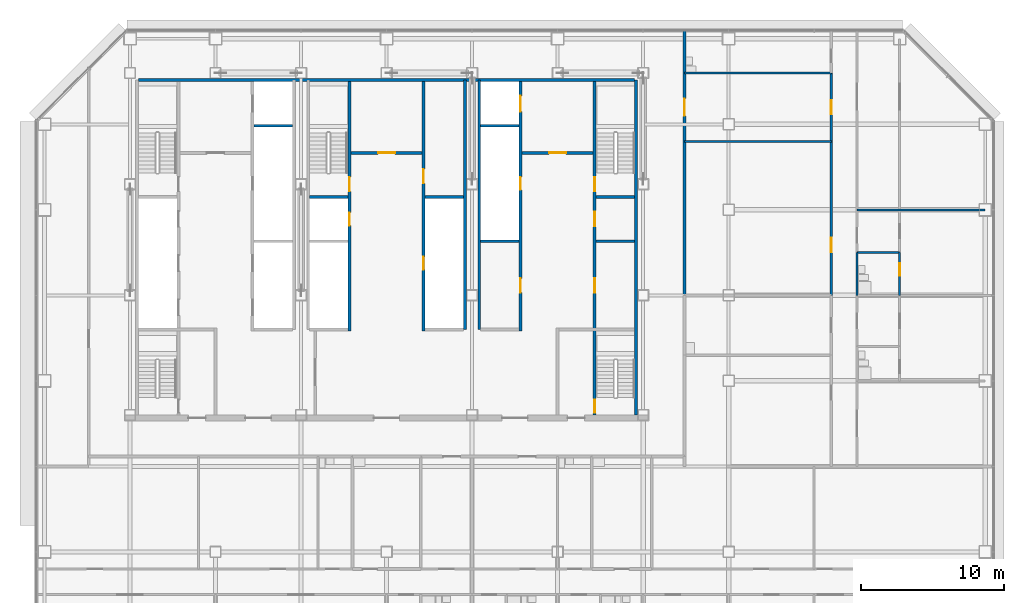
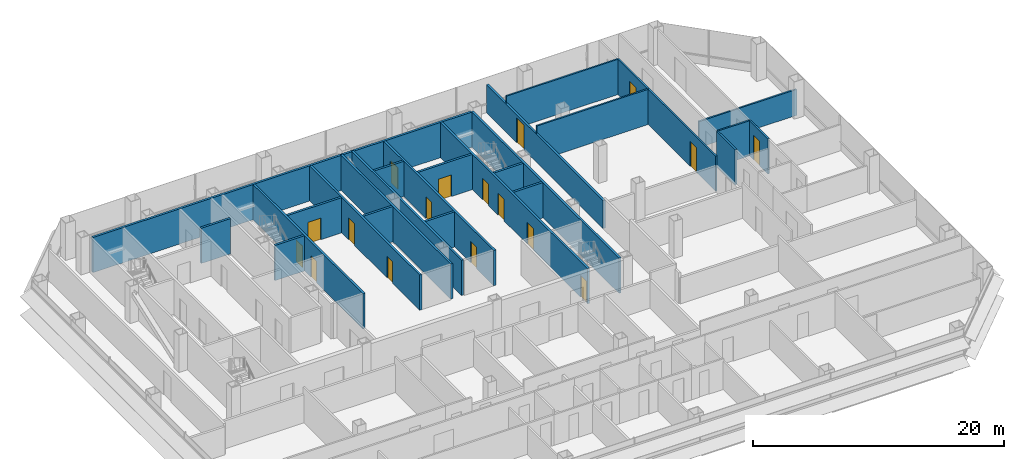
# One storey, part 23 of 26: 25 walls, 17 doors, 17 openings.
"""IFC4 building model written with IfcOpenShell, lengths in metres."""

from ifc_helpers import new_model, si_unit, direction, frame, frame_2d, origin, place, context, subcontext, project, spatial, rectangle, extrude, material, layer, layer_set, type_object, element, fill, save


model = new_model("IFC4")

# Units and contexts
model_context = context("Model", 3, precision=1e-05, world=origin(), true_north=direction((0.0, 1.0)))
body_context = subcontext(model_context, "Body", "Model", "MODEL_VIEW")
ifc_project = project(units=[si_unit("LENGTHUNIT", "METRE"), si_unit("AREAUNIT", "SQUARE_METRE"), si_unit("VOLUMEUNIT", "CUBIC_METRE"), si_unit("PLANEANGLEUNIT", "RADIAN"), si_unit("MASSUNIT", "GRAM", prefix="KILO")], contexts=[model_context])

# Site, building, storey
site_placement = place(None, origin())
site = spatial("IfcSite", under=ifc_project, at=site_placement, CompositionType="ELEMENT")
building_placement = place(site_placement, origin())
building = spatial("IfcBuilding", under=site, at=building_placement, Name="Sorahane Residences", CompositionType="ELEMENT")
storey_placement = place(building_placement, frame((0.0, 0.0, 64.199951171875)))
storey = spatial("IfcBuildingStorey", under=building, at=storey_placement, Name="L12", CompositionType="ELEMENT", Elevation=64.199951171875)

# Walls
ifc_material_1 = material(Name="Concrete C30", Category="concrete")
ifc_layer_1 = layer(ifc_material_1, 0.199951171875)
ifc_layer_set_1 = layer_set([ifc_layer_1], Name="Core face wall 200 EI 180")
wall_type_1 = type_object("IfcWallType", Name="Core face wall 200 EI 180", PredefinedType="SOLIDWALL", material=ifc_layer_set_1)
wall_1_placement = place(storey_placement, frame((41.5, 21.60009765625, 0.0), z_axis=(0.0, 0.0, 1.0), x_axis=(0.0, 1.0, 0.0)))
element("IfcWall", 1, at=wall_1_placement, inside=storey, type_object=wall_type_1, Name="L12 core face wall", PredefinedType="SOLIDWALL", context=body_context, shape_type="SweptSolid", body=[
    extrude(rectangle(XDim=23.5, YDim=0.199951171875, at=frame_2d((11.75, 0.0))), origin(), (0.0, 0.0, 1.0), 3.420166015625),
])
wall_2_placement = place(storey_placement, frame((6.60009765625, 45.10009765625, 0.0), z_axis=(0.0, 0.0, 1.0), x_axis=(1.0, 0.0, 0.0)))
element("IfcWall", 2, at=wall_2_placement, inside=storey, type_object=wall_type_1, Name="L12 core face wall", PredefinedType="SOLIDWALL", context=body_context, shape_type="SweptSolid", body=[
    extrude(rectangle(XDim=34.7998046875, YDim=0.199951171875, at=frame_2d((17.39990234375, 0.0))), origin(), (0.0, 0.0, 1.0), 3.420166015625),
])
for number, where, z_axis, x_axis, name in (
    (3, (29.5, 27.60009765625, 0.0), (0.0, 0.0, 1.0), (0.0, 1.0, 0.0), "L12 core face wall"),
    (4, (30.5, 27.60009765625, 0.0), (0.0, 0.0, 1.0), (0.0, 1.0, 0.0), "L12 core face wall"),
):
    element("IfcWall", number, at=place(storey_placement, frame(where, z_axis=z_axis, x_axis=x_axis)), inside=storey, type_object=wall_type_1, Name=name, PredefinedType="SOLIDWALL", context=body_context, shape_type="SweptSolid", body=[
        extrude(rectangle(XDim=17.5, YDim=0.199951171875, at=frame_2d((8.75, 0.0))), origin(), (0.0, 0.0, 1.0), 3.420166015625),
    ])

# Wall, opening, door
ifc_material_2 = material(Name="Concrete blockwork C20 wall", Category="masonry")
ifc_layer_2 = layer(ifc_material_2, 0.199951171875)
ifc_layer_set_2 = layer_set([ifc_layer_2], Name="Corridor wall 200 EI 120")
wall_type_2 = type_object("IfcWallType", Name="Corridor wall 200 EI 120", PredefinedType="SOLIDWALL", material=ifc_layer_set_2)
wall_3_placement = place(storey_placement, frame((44.89990234375, 30.0, 0.0), z_axis=(0.0, 0.0, 1.0), x_axis=(0.0, 1.0, 0.0)))
wall_3 = element("IfcWall", 5, at=wall_3_placement, inside=storey, type_object=wall_type_2, Name="L12 corridor wall", PredefinedType="SOLIDWALL", context=body_context, shape_type="SweptSolid", body=[
    extrude(rectangle(XDim=18.60009765625, YDim=0.199951171875, at=frame_2d((9.300048828125, 0.0))), origin(), (0.0, 0.0, 1.0), 2.719970703125),
])
opening_1_placement = place(wall_3_placement, frame((12.60009765625, 0.0, 0.0)))
opening_1 = element("IfcOpeningElement", 6, at=opening_1_placement, cuts=wall_3, Name="Opening L12-44", PredefinedType="OPENING", context=body_context, shape_type="SweptSolid", body=[
    extrude(rectangle(XDim=1.199951171875, YDim=2.39990234375, at=frame_2d((0.60009765625, 1.199951171875))), frame((0.0, 0.10986328125, 0.0), z_axis=(0.0, -1.0, 0.0), x_axis=(1.0, 0.0, 0.0)), (0.0, 0.0, 1.0), 0.219970703125),
])
ifc_material_3 = material(Name="Timber veneered fire door", Category="wood")
door_type_1 = type_object("IfcDoorType", Name="Flat entrance door 1200x2400 FD60", OperationType="NOTDEFINED", PredefinedType="DOOR", material=ifc_material_3)
door_1_placement = place(opening_1_placement, frame((1.199951171875, 0.0, 0.0), z_axis=(0.0, 0.0, 1.0), x_axis=(-1.0, 0.0, 0.0)))
door_1 = element("IfcDoor", 7, at=door_1_placement, inside=storey, type_object=door_type_1, Name="Flat entrance door L12-44", OperationType="SINGLE_SWING_RIGHT", OverallHeight=2.39990234375, OverallWidth=1.199951171875, PredefinedType="DOOR", context=body_context, shape_type="SweptSolid", body=[
    extrude(rectangle(XDim=1.199951171875, YDim=2.39990234375, at=frame_2d((0.60009765625, 1.199951171875))), frame((0.0, 0.02490234375, 0.0), z_axis=(0.0, -1.0, 0.0), x_axis=(1.0, 0.0, 0.0)), (0.0, 0.0, 1.0), 0.050048828125),
])
fill(opening_1, door_1)

ifc_material_4 = material(Name="Concrete C30", Category="concrete")
ifc_layer_3 = layer(ifc_material_4, 0.199951171875)
ifc_layer_set_3 = layer_set([ifc_layer_3], Name="Front room wall 200 EI 120")
wall_type_3 = type_object("IfcWallType", Name="Front room wall 200 EI 120", PredefinedType="PARTITIONING", material=ifc_layer_set_3)
wall_4_placement = place(storey_placement, frame((21.5, 40.0, 0.0), z_axis=(0.0, 0.0, 1.0), x_axis=(1.0, 0.0, 0.0)))
wall_4 = element("IfcWall", 8, at=wall_4_placement, inside=storey, type_object=wall_type_3, Name="L12 front room wall", PredefinedType="PARTITIONING", context=body_context, shape_type="SweptSolid", body=[
    extrude(rectangle(XDim=5.0, YDim=0.199951171875, at=frame_2d((2.5, 0.0))), origin(), (0.0, 0.0, 1.0), 3.420166015625),
])
opening_2_placement = place(wall_4_placement, frame((1.89990234375, 0.0, 0.0)))
opening_2 = element("IfcOpeningElement", 9, at=opening_2_placement, cuts=wall_4, Name="Opening L12-C08", PredefinedType="OPENING", context=body_context, shape_type="SweptSolid", body=[
    extrude(rectangle(XDim=1.199951171875, YDim=2.10009765625, at=frame_2d((0.60009765625, 1.050048828125))), frame((0.0, 0.10986328125, 0.0), z_axis=(0.0, -1.0, 0.0), x_axis=(1.0, 0.0, 0.0)), (0.0, 0.0, 1.0), 0.219970703125),
])
ifc_material_5 = material(Name="Steel", Category="steel")
door_type_2 = type_object("IfcDoorType", Name="Front room door 1200x2100 FD120", OperationType="NOTDEFINED", PredefinedType="DOOR", material=ifc_material_5)
door_2_placement = place(opening_2_placement, frame((1.199951171875, 0.0, 0.0), z_axis=(0.0, 0.0, 1.0), x_axis=(-1.0, 0.0, 0.0)))
door_2 = element("IfcDoor", 10, at=door_2_placement, inside=storey, type_object=door_type_2, Name="Front room door Stair S3 vestibule L12", OperationType="DOUBLE_DOOR_SINGLE_SWING", OverallHeight=2.10009765625, OverallWidth=1.199951171875, PredefinedType="DOOR", context=body_context, shape_type="SweptSolid", body=[
    extrude(rectangle(XDim=1.199951171875, YDim=2.10009765625, at=frame_2d((0.60009765625, 1.050048828125))), frame((0.0, 0.02490234375, 0.0), z_axis=(0.0, -1.0, 0.0), x_axis=(1.0, 0.0, 0.0)), (0.0, 0.0, 1.0), 0.050048828125),
])
fill(opening_2, door_2)

wall_5_placement = place(storey_placement, frame((33.5, 40.0, 0.0), z_axis=(0.0, 0.0, 1.0), x_axis=(1.0, 0.0, 0.0)))
wall_5 = element("IfcWall", 11, at=wall_5_placement, inside=storey, type_object=wall_type_3, Name="L12 front room wall", PredefinedType="PARTITIONING", context=body_context, shape_type="SweptSolid", body=[
    extrude(rectangle(XDim=5.0, YDim=0.199951171875, at=frame_2d((2.5, 0.0))), origin(), (0.0, 0.0, 1.0), 3.420166015625),
])
opening_3_placement = place(wall_5_placement, frame((1.89990234375, 0.0, 0.0)))
opening_3 = element("IfcOpeningElement", 12, at=opening_3_placement, cuts=wall_5, Name="Opening L12-C09", PredefinedType="OPENING", context=body_context, shape_type="SweptSolid", body=[
    extrude(rectangle(XDim=1.199951171875, YDim=2.10009765625, at=frame_2d((0.60009765625, 1.050048828125))), frame((0.0, 0.10986328125, 0.0), z_axis=(0.0, -1.0, 0.0), x_axis=(1.0, 0.0, 0.0)), (0.0, 0.0, 1.0), 0.219970703125),
])
door_3_placement = place(opening_3_placement, frame((1.199951171875, 0.0, 0.0), z_axis=(0.0, 0.0, 1.0), x_axis=(-1.0, 0.0, 0.0)))
door_3 = element("IfcDoor", 13, at=door_3_placement, inside=storey, type_object=door_type_2, Name="Front room door Firefighting lobby FF2 front room L12", OperationType="DOUBLE_DOOR_SINGLE_SWING", OverallHeight=2.10009765625, OverallWidth=1.199951171875, PredefinedType="DOOR", context=body_context, shape_type="SweptSolid", body=[
    extrude(rectangle(XDim=1.199951171875, YDim=2.10009765625, at=frame_2d((0.60009765625, 1.050048828125))), frame((0.0, 0.02490234375, 0.0), z_axis=(0.0, -1.0, 0.0), x_axis=(1.0, 0.0, 0.0)), (0.0, 0.0, 1.0), 0.050048828125),
])
fill(opening_3, door_3)

# Wall, openings, doors
ifc_material_6 = material(Name="Concrete C30", Category="concrete")
ifc_layer_4 = layer(ifc_material_6, 0.199951171875)
ifc_layer_set_4 = layer_set([ifc_layer_4], Name="Lift shaft wall 200 EI 120")
wall_type_4 = type_object("IfcWallType", Name="Lift shaft wall 200 EI 120", PredefinedType="SOLIDWALL", material=ifc_layer_set_4)
wall_6_placement = place(storey_placement, frame((33.39990234375, 27.5, 0.0), z_axis=(0.0, 0.0, 1.0), x_axis=(0.0, 1.0, 0.0)))
wall_6 = element("IfcWall", 14, at=wall_6_placement, inside=storey, type_object=wall_type_4, Name="L12 lift shaft wall", PredefinedType="SOLIDWALL", context=body_context, shape_type="SweptSolid", body=[
    extrude(rectangle(XDim=17.5, YDim=0.199951171875, at=frame_2d((8.75, 0.0))), origin(), (0.0, 0.0, 1.0), 3.420166015625),
])
opening_4_placement = place(wall_6_placement, frame((15.39990234375, 0.0, 0.0)))
opening_4 = element("IfcOpeningElement", 15, at=opening_4_placement, cuts=wall_6, Name="Opening L12-C10", PredefinedType="OPENING", context=body_context, shape_type="SweptSolid", body=[
    extrude(rectangle(XDim=1.10009765625, YDim=2.10009765625, at=frame_2d((0.550048828125, 1.050048828125))), frame((0.0, 0.10986328125, 0.0), z_axis=(0.0, -1.0, 0.0), x_axis=(1.0, 0.0, 0.0)), (0.0, 0.0, 1.0), 0.219970703125),
])
opening_5_placement = place(wall_6_placement, frame((2.699951171875, 0.0, 0.0)))
opening_5 = element("IfcOpeningElement", 16, at=opening_5_placement, cuts=wall_6, Name="Opening L12-C19", PredefinedType="OPENING", context=body_context, shape_type="SweptSolid", body=[
    extrude(rectangle(XDim=1.0, YDim=2.10009765625, at=frame_2d((0.5, 1.050048828125))), frame((0.0, 0.10986328125, 0.0), z_axis=(0.0, -1.0, 0.0), x_axis=(1.0, 0.0, 0.0)), (0.0, 0.0, 1.0), 0.219970703125),
])
opening_6_placement = place(wall_6_placement, frame((9.89990234375, 0.0, 0.0)))
opening_6 = element("IfcOpeningElement", 17, at=opening_6_placement, cuts=wall_6, Name="Opening L12-C26", PredefinedType="OPENING", context=body_context, shape_type="SweptSolid", body=[
    extrude(rectangle(XDim=0.89990234375, YDim=2.10009765625, at=frame_2d((0.449951171875, 1.050048828125))), frame((0.0, 0.10986328125, 0.0), z_axis=(0.0, -1.0, 0.0), x_axis=(1.0, 0.0, 0.0)), (0.0, 0.0, 1.0), 0.219970703125),
])
ifc_material_7 = material(Name="Aluminium and stainless steel", Category="steel")
door_type_3 = type_object("IfcDoorType", Name="Lift landing door 1100x2100 E 60", OperationType="NOTDEFINED", PredefinedType="DOOR", material=ifc_material_7)
door_4_placement = place(opening_4_placement, origin())
door_4 = element("IfcDoor", 18, at=door_4_placement, inside=storey, type_object=door_type_3, Name="Lift landing door FF2 L12", OperationType="DOUBLE_DOOR_SLIDING", OverallHeight=2.10009765625, OverallWidth=1.10009765625, PredefinedType="DOOR", context=body_context, shape_type="SweptSolid", body=[
    extrude(rectangle(XDim=1.10009765625, YDim=2.10009765625, at=frame_2d((0.550048828125, 1.050048828125))), frame((0.0, 0.02490234375, 0.0), z_axis=(0.0, -1.0, 0.0), x_axis=(1.0, 0.0, 0.0)), (0.0, 0.0, 1.0), 0.050048828125),
])
fill(opening_4, door_4)
ifc_material_8 = material(Name="Steel", Category="steel")
door_type_4 = type_object("IfcDoorType", Name="Riser door 900x2100 FD120", OperationType="NOTDEFINED", PredefinedType="DOOR", material=ifc_material_8)
door_5_placement = place(opening_6_placement, frame((0.89990234375, 0.0, 0.0), z_axis=(0.0, 0.0, 1.0), x_axis=(-1.0, 0.0, 0.0)))
door_5 = element("IfcDoor", 19, at=door_5_placement, inside=storey, type_object=door_type_4, Name="Riser door R2 L12", OperationType="SINGLE_SWING_LEFT", OverallHeight=2.10009765625, OverallWidth=0.89990234375, PredefinedType="DOOR", context=body_context, shape_type="SweptSolid", body=[
    extrude(rectangle(XDim=0.89990234375, YDim=2.10009765625, at=frame_2d((0.449951171875, 1.050048828125))), frame((0.0, 0.02490234375, 0.0), z_axis=(0.0, -1.0, 0.0), x_axis=(1.0, 0.0, 0.0)), (0.0, 0.0, 1.0), 0.050048828125),
])
fill(opening_6, door_5)
ifc_material_9 = material(Name="Steel", Category="steel")
door_type_5 = type_object("IfcDoorType", Name="Service room door 1000x2100 FD60", OperationType="NOTDEFINED", PredefinedType="DOOR", material=ifc_material_9)
door_6_placement = place(opening_5_placement, origin())
door_6 = element("IfcDoor", 20, at=door_6_placement, inside=storey, type_object=door_type_5, Name="Service room door Gift store L12", OperationType="SINGLE_SWING_RIGHT", OverallHeight=2.10009765625, OverallWidth=1.0, PredefinedType="DOOR", context=body_context, shape_type="SweptSolid", body=[
    extrude(rectangle(XDim=1.0, YDim=2.10009765625, at=frame_2d((0.5, 1.050048828125))), frame((0.0, 0.02490234375, 0.0), z_axis=(0.0, -1.0, 0.0), x_axis=(1.0, 0.0, 0.0)), (0.0, 0.0, 1.0), 0.050048828125),
])
fill(opening_5, door_6)

# Walls
for number, where, z_axis, x_axis, name in (
    (21, (14.699951171875, 41.89990234375, 0.0), (0.0, 0.0, 1.0), (1.0, 0.0, 0.0), "L12 lift shaft wall"),
    (22, (30.60009765625, 41.89990234375, 0.0), (0.0, 0.0, 1.0), (1.0, 0.0, 0.0), "L12 lift shaft wall"),
):
    element("IfcWall", number, at=place(storey_placement, frame(where, z_axis=z_axis, x_axis=x_axis)), inside=storey, type_object=wall_type_4, Name=name, PredefinedType="SOLIDWALL", context=body_context, shape_type="SweptSolid", body=[
        extrude(rectangle(XDim=2.699951171875, YDim=0.199951171875, at=frame_2d((1.35009765625, 0.0))), origin(), (0.0, 0.0, 1.0), 3.420166015625),
    ])

# Wall, openings, doors
ifc_material_10 = material(Name="Gypsum board partition on steel studs", Category="steel")
ifc_layer_5 = layer(ifc_material_10, 0.14990234375)
ifc_layer_set_5 = layer_set([ifc_layer_5], Name="Partition 150 EI 90")
wall_type_5 = type_object("IfcWallType", Name="Partition 150 EI 90", PredefinedType="PARTITIONING", material=ifc_layer_set_5)
wall_7_placement = place(storey_placement, frame((55.199951171875, 30.0, 0.0), z_axis=(0.0, 0.0, 1.0), x_axis=(0.0, 1.0, 0.0)))
wall_7 = element("IfcWall", 23, at=wall_7_placement, inside=storey, type_object=wall_type_5, Name="L12 partition", PredefinedType="PARTITIONING", context=body_context, shape_type="SweptSolid", body=[
    extrude(rectangle(XDim=15.60009765625, YDim=0.14990234375, at=frame_2d((7.800048828125, 0.0))), origin(), (0.0, 0.0, 1.0), 3.420166015625),
])
opening_7_placement = place(wall_7_placement, frame((12.699951171875, 0.0, 0.0)))
opening_7 = element("IfcOpeningElement", 24, at=opening_7_placement, cuts=wall_7, Name="Opening L12-28", PredefinedType="OPENING", context=body_context, shape_type="SweptSolid", body=[
    extrude(rectangle(XDim=1.0, YDim=2.39990234375, at=frame_2d((0.5, 1.199951171875))), frame((0.0, 0.0849609375, 0.0), z_axis=(0.0, -1.0, 0.0), x_axis=(1.0, 0.0, 0.0)), (0.0, 0.0, 1.0), 0.169921875),
])
opening_8_placement = place(wall_7_placement, frame((3.0400390625, 0.0, 0.0)))
opening_8 = element("IfcOpeningElement", 25, at=opening_8_placement, cuts=wall_7, Name="Opening L12-31", PredefinedType="OPENING", context=body_context, shape_type="SweptSolid", body=[
    extrude(rectangle(XDim=1.0, YDim=2.39990234375, at=frame_2d((0.5, 1.199951171875))), frame((0.0, 0.0849609375, 0.0), z_axis=(0.0, -1.0, 0.0), x_axis=(1.0, 0.0, 0.0)), (0.0, 0.0, 1.0), 0.169921875),
])
ifc_material_11 = material(Name="Timber veneered fire door", Category="wood")
door_type_6 = type_object("IfcDoorType", Name="Room door 1000x2400 FD30", OperationType="NOTDEFINED", PredefinedType="DOOR", material=ifc_material_11)
door_7_placement = place(opening_7_placement, frame((1.0, 0.0, 0.0), z_axis=(0.0, 0.0, 1.0), x_axis=(-1.0, 0.0, 0.0)))
door_7 = element("IfcDoor", 26, at=door_7_placement, inside=storey, type_object=door_type_6, Name="Room door L12-28", OperationType="SINGLE_SWING_RIGHT", OverallHeight=2.39990234375, OverallWidth=1.0, PredefinedType="DOOR", context=body_context, shape_type="SweptSolid", body=[
    extrude(rectangle(XDim=1.0, YDim=2.39990234375, at=frame_2d((0.5, 1.199951171875))), frame((0.0, 0.02490234375, 0.0), z_axis=(0.0, -1.0, 0.0), x_axis=(1.0, 0.0, 0.0)), (0.0, 0.0, 1.0), 0.050048828125),
])
fill(opening_7, door_7)
door_8_placement = place(opening_8_placement, origin())
door_8 = element("IfcDoor", 27, at=door_8_placement, inside=storey, type_object=door_type_6, Name="Room door L12-31", OperationType="SINGLE_SWING_LEFT", OverallHeight=2.39990234375, OverallWidth=1.0, PredefinedType="DOOR", context=body_context, shape_type="SweptSolid", body=[
    extrude(rectangle(XDim=1.0, YDim=2.39990234375, at=frame_2d((0.5, 1.199951171875))), frame((0.0, 0.02490234375, 0.0), z_axis=(0.0, -1.0, 0.0), x_axis=(1.0, 0.0, 0.0)), (0.0, 0.0, 1.0), 0.050048828125),
])
fill(opening_8, door_8)

# Walls
wall_8_placement = place(storey_placement, frame((57.0, 36.0, 0.0), z_axis=(0.0, 0.0, 1.0), x_axis=(1.0, 0.0, 0.0)))
element("IfcWall", 28, at=wall_8_placement, inside=storey, type_object=wall_type_5, Name="L12 partition", PredefinedType="PARTITIONING", context=body_context, shape_type="SweptSolid", body=[
    extrude(rectangle(XDim=9.0, YDim=0.14990234375, at=frame_2d((4.5, 0.0))), origin(), (0.0, 0.0, 1.0), 2.52001953125),
])
wall_9_placement = place(storey_placement, frame((44.89990234375, 40.800048828125, 0.0), z_axis=(0.0, 0.0, 1.0), x_axis=(1.0, 0.0, 0.0)))
element("IfcWall", 29, at=wall_9_placement, inside=storey, type_object=wall_type_5, Name="L12 partition", PredefinedType="PARTITIONING", context=body_context, shape_type="SweptSolid", body=[
    extrude(rectangle(XDim=10.300048828125, YDim=0.14990234375, at=frame_2d((5.14990234375, 0.0))), origin(), (0.0, 0.0, 1.0), 3.420166015625),
])

# Wall, openings, doors
ifc_material_12 = material(Name="Concrete C30", Category="concrete")
ifc_layer_6 = layer(ifc_material_12, 0.199951171875)
ifc_layer_set_6 = layer_set([ifc_layer_6], Name="Riser shaft wall 200 EI 120")
wall_type_6 = type_object("IfcWallType", Name="Riser shaft wall 200 EI 120", PredefinedType="SOLIDWALL", material=ifc_layer_set_6)
wall_10_placement = place(storey_placement, frame((26.60009765625, 27.5, 0.0), z_axis=(0.0, 0.0, 1.0), x_axis=(0.0, 1.0, 0.0)))
wall_10 = element("IfcWall", 30, at=wall_10_placement, inside=storey, type_object=wall_type_6, Name="L12 riser wall", PredefinedType="SOLIDWALL", context=body_context, shape_type="SweptSolid", body=[
    extrude(rectangle(XDim=17.5, YDim=0.199951171875, at=frame_2d((8.75, 0.0))), origin(), (0.0, 0.0, 1.0), 3.420166015625),
])
opening_9_placement = place(wall_10_placement, frame((4.300048828125, 0.0, 0.0)))
opening_9 = element("IfcOpeningElement", 31, at=opening_9_placement, cuts=wall_10, Name="Opening L12-C28", PredefinedType="OPENING", context=body_context, shape_type="SweptSolid", body=[
    extrude(rectangle(XDim=0.89990234375, YDim=2.10009765625, at=frame_2d((0.449951171875, 1.050048828125))), frame((0.0, 0.10986328125, 0.0), z_axis=(0.0, -1.0, 0.0), x_axis=(1.0, 0.0, 0.0)), (0.0, 0.0, 1.0), 0.219970703125),
])
opening_10_placement = place(wall_10_placement, frame((10.35009765625, 0.0, 0.0)))
opening_10 = element("IfcOpeningElement", 32, at=opening_10_placement, cuts=wall_10, Name="Opening L12-C29", PredefinedType="OPENING", context=body_context, shape_type="SweptSolid", body=[
    extrude(rectangle(XDim=1.0, YDim=2.10009765625, at=frame_2d((0.5, 1.050048828125))), frame((0.0, 0.10986328125, 0.0), z_axis=(0.0, -1.0, 0.0), x_axis=(1.0, 0.0, 0.0)), (0.0, 0.0, 1.0), 0.219970703125),
])
door_9_placement = place(opening_9_placement, origin())
door_9 = element("IfcDoor", 33, at=door_9_placement, inside=storey, type_object=door_type_4, Name="Riser door R4 L12", OperationType="SINGLE_SWING_LEFT", OverallHeight=2.10009765625, OverallWidth=0.89990234375, PredefinedType="DOOR", context=body_context, shape_type="SweptSolid", body=[
    extrude(rectangle(XDim=0.89990234375, YDim=2.10009765625, at=frame_2d((0.449951171875, 1.050048828125))), frame((0.0, 0.02490234375, 0.0), z_axis=(0.0, -1.0, 0.0), x_axis=(1.0, 0.0, 0.0)), (0.0, 0.0, 1.0), 0.050048828125),
])
fill(opening_9, door_9)
door_10_placement = place(opening_10_placement, frame((1.0, 0.0, 0.0), z_axis=(0.0, 0.0, 1.0), x_axis=(-1.0, 0.0, 0.0)))
door_10 = element("IfcDoor", 34, at=door_10_placement, inside=storey, type_object=door_type_5, Name="Service room door Housekeeping store L12", OperationType="SINGLE_SWING_LEFT", OverallHeight=2.10009765625, OverallWidth=1.0, PredefinedType="DOOR", context=body_context, shape_type="SweptSolid", body=[
    extrude(rectangle(XDim=1.0, YDim=2.10009765625, at=frame_2d((0.5, 1.050048828125))), frame((0.0, 0.02490234375, 0.0), z_axis=(0.0, -1.0, 0.0), x_axis=(1.0, 0.0, 0.0)), (0.0, 0.0, 1.0), 0.050048828125),
])
fill(opening_10, door_10)

# Walls
for number, where, z_axis, x_axis, name in (
    (35, (30.60009765625, 33.800048828125, 0.0), (0.0, 0.0, 1.0), (1.0, 0.0, 0.0), "L12 riser wall"),
    (36, (26.699951171875, 36.89990234375, 0.0), (0.0, 0.0, 1.0), (1.0, 0.0, 0.0), "L12 riser wall"),
):
    element("IfcWall", number, at=place(storey_placement, frame(where, z_axis=z_axis, x_axis=x_axis)), inside=storey, type_object=wall_type_6, Name=name, PredefinedType="SOLIDWALL", context=body_context, shape_type="SweptSolid", body=[
        extrude(rectangle(XDim=2.699951171875, YDim=0.199951171875, at=frame_2d((1.35009765625, 0.0))), origin(), (0.0, 0.0, 1.0), 3.420166015625),
    ])
ifc_material_13 = material(Name="Concrete C30", Category="concrete")
ifc_layer_7 = layer(ifc_material_13, 0.199951171875)
ifc_layer_set_7 = layer_set([ifc_layer_7], Name="Service room partition 200 EI 60")
wall_type_7 = type_object("IfcWallType", Name="Service room partition 200 EI 60", PredefinedType="PARTITIONING", material=ifc_layer_set_7)
wall_11_placement = place(storey_placement, frame((38.699951171875, 33.800048828125, 0.0), z_axis=(0.0, 0.0, 1.0), x_axis=(1.0, 0.0, 0.0)))
element("IfcWall", 37, at=wall_11_placement, inside=storey, type_object=wall_type_7, Name="L12 service room wall", PredefinedType="PARTITIONING", context=body_context, shape_type="SweptSolid", body=[
    extrude(rectangle(XDim=2.699951171875, YDim=0.199951171875, at=frame_2d((1.35009765625, 0.0))), origin(), (0.0, 0.0, 1.0), 3.420166015625),
])

# Wall, openings, doors
ifc_material_14 = material(Name="Concrete C30", Category="concrete")
ifc_layer_8 = layer(ifc_material_14, 0.199951171875)
ifc_layer_set_8 = layer_set([ifc_layer_8], Name="Stair enclosure wall 200 EI 120")
wall_type_8 = type_object("IfcWallType", Name="Stair enclosure wall 200 EI 120", PredefinedType="SOLIDWALL", material=ifc_layer_set_8)
wall_12_placement = place(storey_placement, frame((21.39990234375, 27.5, 0.0), z_axis=(0.0, 0.0, 1.0), x_axis=(0.0, 1.0, 0.0)))
wall_12 = element("IfcWall", 38, at=wall_12_placement, inside=storey, type_object=wall_type_8, Name="L12 stair enclosure wall", PredefinedType="SOLIDWALL", context=body_context, shape_type="SweptSolid", body=[
    extrude(rectangle(XDim=17.5, YDim=0.199951171875, at=frame_2d((8.75, 0.0))), origin(), (0.0, 0.0, 1.0), 3.420166015625),
])
opening_11_placement = place(wall_12_placement, frame((9.800048828125, 0.0, 0.0)))
opening_11 = element("IfcOpeningElement", 39, at=opening_11_placement, cuts=wall_12, Name="Opening L12-C22", PredefinedType="OPENING", context=body_context, shape_type="SweptSolid", body=[
    extrude(rectangle(XDim=1.0, YDim=2.10009765625, at=frame_2d((0.5, 1.050048828125))), frame((0.0, 0.10986328125, 0.0), z_axis=(0.0, -1.0, 0.0), x_axis=(1.0, 0.0, 0.0)), (0.0, 0.0, 1.0), 0.219970703125),
])
opening_12_placement = place(wall_12_placement, frame((7.39990234375, 0.0, 0.0)))
opening_12 = element("IfcOpeningElement", 40, at=opening_12_placement, cuts=wall_12, Name="Opening L12-C27", PredefinedType="OPENING", context=body_context, shape_type="SweptSolid", body=[
    extrude(rectangle(XDim=0.89990234375, YDim=2.10009765625, at=frame_2d((0.449951171875, 1.050048828125))), frame((0.0, 0.10986328125, 0.0), z_axis=(0.0, -1.0, 0.0), x_axis=(1.0, 0.0, 0.0)), (0.0, 0.0, 1.0), 0.219970703125),
])
door_11_placement = place(opening_12_placement, frame((0.89990234375, 0.0, 0.0), z_axis=(0.0, 0.0, 1.0), x_axis=(-1.0, 0.0, 0.0)))
door_11 = element("IfcDoor", 41, at=door_11_placement, inside=storey, type_object=door_type_4, Name="Riser door R3 L12", OperationType="SINGLE_SWING_LEFT", OverallHeight=2.10009765625, OverallWidth=0.89990234375, PredefinedType="DOOR", context=body_context, shape_type="SweptSolid", body=[
    extrude(rectangle(XDim=0.89990234375, YDim=2.10009765625, at=frame_2d((0.449951171875, 1.050048828125))), frame((0.0, 0.02490234375, 0.0), z_axis=(0.0, -1.0, 0.0), x_axis=(1.0, 0.0, 0.0)), (0.0, 0.0, 1.0), 0.050048828125),
])
fill(opening_12, door_11)
ifc_material_15 = material(Name="Steel", Category="steel")
door_type_7 = type_object("IfcDoorType", Name="Stair door 1000x2100 FD120", OperationType="NOTDEFINED", PredefinedType="DOOR", material=ifc_material_15)
door_12_placement = place(opening_11_placement, origin())
door_12 = element("IfcDoor", 42, at=door_12_placement, inside=storey, type_object=door_type_7, Name="Stair door S3 L12", OperationType="SINGLE_SWING_LEFT", OverallHeight=2.10009765625, OverallWidth=1.0, PredefinedType="DOOR", context=body_context, shape_type="SweptSolid", body=[
    extrude(rectangle(XDim=1.0, YDim=2.10009765625, at=frame_2d((0.5, 1.050048828125))), frame((0.0, 0.02490234375, 0.0), z_axis=(0.0, -1.0, 0.0), x_axis=(1.0, 0.0, 0.0)), (0.0, 0.0, 1.0), 0.050048828125),
])
fill(opening_11, door_12)

wall_13_placement = place(storey_placement, frame((38.60009765625, 21.60009765625, 0.0), z_axis=(0.0, 0.0, 1.0), x_axis=(0.0, 1.0, 0.0)))
wall_13 = element("IfcWall", 43, at=wall_13_placement, inside=storey, type_object=wall_type_8, Name="L12 stair enclosure wall", PredefinedType="SOLIDWALL", context=body_context, shape_type="SweptSolid", body=[
    extrude(rectangle(XDim=23.39990234375, YDim=0.199951171875, at=frame_2d((11.699951171875, 0.0))), origin(), (0.0, 0.0, 1.0), 3.420166015625),
])
opening_13_placement = place(wall_13_placement, frame((8.60009765625, 0.0, 0.0)))
opening_13 = element("IfcOpeningElement", 44, at=opening_13_placement, cuts=wall_13, Name="Opening L12-C17", PredefinedType="OPENING", context=body_context, shape_type="SweptSolid", body=[
    extrude(rectangle(XDim=1.0, YDim=2.10009765625, at=frame_2d((0.5, 1.050048828125))), frame((0.0, 0.10986328125, 0.0), z_axis=(0.0, -1.0, 0.0), x_axis=(1.0, 0.0, 0.0)), (0.0, 0.0, 1.0), 0.219970703125),
])
opening_14_placement = place(wall_13_placement, frame((13.25, 0.0, 0.0)))
opening_14 = element("IfcOpeningElement", 45, at=opening_14_placement, cuts=wall_13, Name="Opening L12-C18", PredefinedType="OPENING", context=body_context, shape_type="SweptSolid", body=[
    extrude(rectangle(XDim=1.0, YDim=2.10009765625, at=frame_2d((0.5, 1.050048828125))), frame((0.0, 0.10986328125, 0.0), z_axis=(0.0, -1.0, 0.0), x_axis=(1.0, 0.0, 0.0)), (0.0, 0.0, 1.0), 0.219970703125),
])
opening_15_placement = place(wall_13_placement, frame((15.699951171875, 0.0, 0.0)))
opening_15 = element("IfcOpeningElement", 46, at=opening_15_placement, cuts=wall_13, Name="Opening L12-C21", PredefinedType="OPENING", context=body_context, shape_type="SweptSolid", body=[
    extrude(rectangle(XDim=1.0, YDim=2.10009765625, at=frame_2d((0.5, 1.050048828125))), frame((0.0, 0.10986328125, 0.0), z_axis=(0.0, -1.0, 0.0), x_axis=(1.0, 0.0, 0.0)), (0.0, 0.0, 1.0), 0.219970703125),
])
opening_16_placement = place(wall_13_placement, frame((0.175048828125, 0.0, 0.0)))
opening_16 = element("IfcOpeningElement", 47, at=opening_16_placement, cuts=wall_13, Name="Opening L12-C24", PredefinedType="OPENING", context=body_context, shape_type="SweptSolid", body=[
    extrude(rectangle(XDim=0.89990234375, YDim=2.10009765625, at=frame_2d((0.449951171875, 1.050048828125))), frame((0.0, 0.10986328125, 0.0), z_axis=(0.0, -1.0, 0.0), x_axis=(1.0, 0.0, 0.0)), (0.0, 0.0, 1.0), 0.219970703125),
])
door_13_placement = place(opening_13_placement, frame((1.0, 0.0, 0.0), z_axis=(0.0, 0.0, 1.0), x_axis=(-1.0, 0.0, 0.0)))
door_13 = element("IfcDoor", 48, at=door_13_placement, inside=storey, type_object=door_type_5, Name="Service room door Gift store L12", OperationType="SINGLE_SWING_RIGHT", OverallHeight=2.10009765625, OverallWidth=1.0, PredefinedType="DOOR", context=body_context, shape_type="SweptSolid", body=[
    extrude(rectangle(XDim=1.0, YDim=2.10009765625, at=frame_2d((0.5, 1.050048828125))), frame((0.0, 0.02490234375, 0.0), z_axis=(0.0, -1.0, 0.0), x_axis=(1.0, 0.0, 0.0)), (0.0, 0.0, 1.0), 0.050048828125),
])
fill(opening_13, door_13)
door_14_placement = place(opening_14_placement, frame((1.0, 0.0, 0.0), z_axis=(0.0, 0.0, 1.0), x_axis=(-1.0, 0.0, 0.0)))
door_14 = element("IfcDoor", 49, at=door_14_placement, inside=storey, type_object=door_type_5, Name="Service room door Cinema room L12", OperationType="SINGLE_SWING_LEFT", OverallHeight=2.10009765625, OverallWidth=1.0, PredefinedType="DOOR", context=body_context, shape_type="SweptSolid", body=[
    extrude(rectangle(XDim=1.0, YDim=2.10009765625, at=frame_2d((0.5, 1.050048828125))), frame((0.0, 0.02490234375, 0.0), z_axis=(0.0, -1.0, 0.0), x_axis=(1.0, 0.0, 0.0)), (0.0, 0.0, 1.0), 0.050048828125),
])
fill(opening_14, door_14)
door_15_placement = place(opening_15_placement, frame((1.0, 0.0, 0.0), z_axis=(0.0, 0.0, 1.0), x_axis=(-1.0, 0.0, 0.0)))
door_15 = element("IfcDoor", 50, at=door_15_placement, inside=storey, type_object=door_type_7, Name="Stair door S2 L12", OperationType="SINGLE_SWING_LEFT", OverallHeight=2.10009765625, OverallWidth=1.0, PredefinedType="DOOR", context=body_context, shape_type="SweptSolid", body=[
    extrude(rectangle(XDim=1.0, YDim=2.10009765625, at=frame_2d((0.5, 1.050048828125))), frame((0.0, 0.02490234375, 0.0), z_axis=(0.0, -1.0, 0.0), x_axis=(1.0, 0.0, 0.0)), (0.0, 0.0, 1.0), 0.050048828125),
])
fill(opening_15, door_15)
ifc_material_16 = material(Name="Steel", Category="steel")
door_type_8 = type_object("IfcDoorType", Name="Stair door 900x2100 FD120", OperationType="NOTDEFINED", PredefinedType="DOOR", material=ifc_material_16)
door_16_placement = place(opening_16_placement, frame((0.89990234375, 0.0, 0.0), z_axis=(0.0, 0.0, 1.0), x_axis=(-1.0, 0.0, 0.0)))
door_16 = element("IfcDoor", 51, at=door_16_placement, inside=storey, type_object=door_type_8, Name="Stair door S5 L12", OperationType="SINGLE_SWING_LEFT", OverallHeight=2.10009765625, OverallWidth=0.89990234375, PredefinedType="DOOR", context=body_context, shape_type="SweptSolid", body=[
    extrude(rectangle(XDim=0.89990234375, YDim=2.10009765625, at=frame_2d((0.449951171875, 1.050048828125))), frame((0.0, 0.02490234375, 0.0), z_axis=(0.0, -1.0, 0.0), x_axis=(1.0, 0.0, 0.0)), (0.0, 0.0, 1.0), 0.050048828125),
])
fill(opening_16, door_16)

# Walls
for number, where, z_axis, x_axis, name in (
    (52, (18.60009765625, 36.89990234375, 0.0), (0.0, 0.0, 1.0), (1.0, 0.0, 0.0), "L12 stair enclosure wall"),
    (53, (38.699951171875, 36.89990234375, 0.0), (0.0, 0.0, 1.0), (1.0, 0.0, 0.0), "L12 stair enclosure wall"),
):
    element("IfcWall", number, at=place(storey_placement, frame(where, z_axis=z_axis, x_axis=x_axis)), inside=storey, type_object=wall_type_8, Name=name, PredefinedType="SOLIDWALL", context=body_context, shape_type="SweptSolid", body=[
        extrude(rectangle(XDim=2.699951171875, YDim=0.199951171875, at=frame_2d((1.35009765625, 0.0))), origin(), (0.0, 0.0, 1.0), 3.420166015625),
    ])
ifc_material_17 = material(Name="Gypsum board partition on steel studs", Category="steel")
ifc_layer_9 = layer(ifc_material_17, 0.14990234375)
ifc_layer_set_9 = layer_set([ifc_layer_9], Name="Wet wall 150 EI 90")
wall_type_9 = type_object("IfcWallType", Name="Wet wall 150 EI 90", PredefinedType="PARTITIONING", material=ifc_layer_set_9)
wall_14_placement = place(storey_placement, frame((57.0, 30.0, 0.0), z_axis=(0.0, 0.0, 1.0), x_axis=(0.0, 1.0, 0.0)))
element("IfcWall", 54, at=wall_14_placement, inside=storey, type_object=wall_type_9, Name="L12 wet wall", PredefinedType="PARTITIONING", context=body_context, shape_type="SweptSolid", body=[
    extrude(rectangle(XDim=3.0, YDim=0.14990234375, at=frame_2d((1.5, 0.0))), origin(), (0.0, 0.0, 1.0), 3.420166015625),
])

# Wall, opening, door
wall_15_placement = place(storey_placement, frame((60.0, 30.0, 0.0), z_axis=(0.0, 0.0, 1.0), x_axis=(0.0, 1.0, 0.0)))
wall_15 = element("IfcWall", 55, at=wall_15_placement, inside=storey, type_object=wall_type_9, Name="L12 wet wall", PredefinedType="PARTITIONING", context=body_context, shape_type="SweptSolid", body=[
    extrude(rectangle(XDim=3.0, YDim=0.14990234375, at=frame_2d((1.5, 0.0))), origin(), (0.0, 0.0, 1.0), 3.420166015625),
])
opening_17_placement = place(wall_15_placement, frame((1.3701171875, 0.0, 0.0)))
opening_17 = element("IfcOpeningElement", 56, at=opening_17_placement, cuts=wall_15, Name="Opening L12-40", PredefinedType="OPENING", context=body_context, shape_type="SweptSolid", body=[
    extrude(rectangle(XDim=0.89990234375, YDim=2.39990234375, at=frame_2d((0.449951171875, 1.199951171875))), frame((0.0, 0.0849609375, 0.0), z_axis=(0.0, -1.0, 0.0), x_axis=(1.0, 0.0, 0.0)), (0.0, 0.0, 1.0), 0.169921875),
])
ifc_material_18 = material(Name="Timber veneered fire door", Category="wood")
door_type_9 = type_object("IfcDoorType", Name="Bathroom door 900x2400 FD30", OperationType="NOTDEFINED", PredefinedType="DOOR", material=ifc_material_18)
door_17_placement = place(opening_17_placement, frame((0.89990234375, 0.0, 0.0), z_axis=(0.0, 0.0, 1.0), x_axis=(-1.0, 0.0, 0.0)))
door_17 = element("IfcDoor", 57, at=door_17_placement, inside=storey, type_object=door_type_9, Name="Bathroom door L12-40", OperationType="SINGLE_SWING_LEFT", OverallHeight=2.39990234375, OverallWidth=0.89990234375, PredefinedType="DOOR", context=body_context, shape_type="SweptSolid", body=[
    extrude(rectangle(XDim=0.89990234375, YDim=2.39990234375, at=frame_2d((0.449951171875, 1.199951171875))), frame((0.0, 0.02490234375, 0.0), z_axis=(0.0, -1.0, 0.0), x_axis=(1.0, 0.0, 0.0)), (0.0, 0.0, 1.0), 0.050048828125),
])
fill(opening_17, door_17)

# Walls
wall_16_placement = place(storey_placement, frame((57.0, 33.0, 0.0), z_axis=(0.0, 0.0, 1.0), x_axis=(1.0, 0.0, 0.0)))
element("IfcWall", 58, at=wall_16_placement, inside=storey, type_object=wall_type_9, Name="L12 wet wall", PredefinedType="PARTITIONING", context=body_context, shape_type="SweptSolid", body=[
    extrude(rectangle(XDim=3.0, YDim=0.14990234375, at=frame_2d((1.5, 0.0))), origin(), (0.0, 0.0, 1.0), 3.420166015625),
])
wall_17_placement = place(storey_placement, frame((44.89990234375, 45.60009765625, 0.0), z_axis=(0.0, 0.0, 1.0), x_axis=(1.0, 0.0, 0.0)))
element("IfcWall", 59, at=wall_17_placement, inside=storey, type_object=wall_type_9, Name="L12 wet wall", PredefinedType="PARTITIONING", context=body_context, shape_type="SweptSolid", body=[
    extrude(rectangle(XDim=10.300048828125, YDim=0.14990234375, at=frame_2d((5.14990234375, 0.0))), origin(), (0.0, 0.0, 1.0), 3.420166015625),
])

save(model, "model.ifc")
